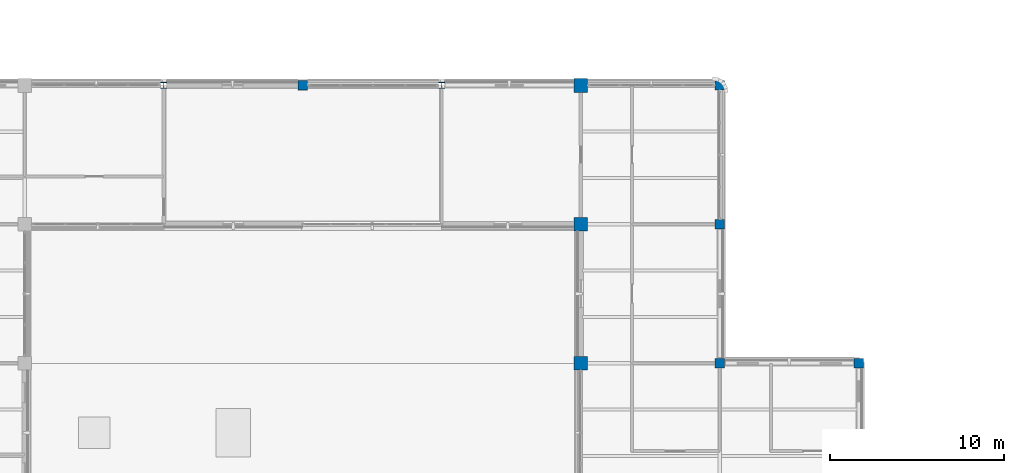
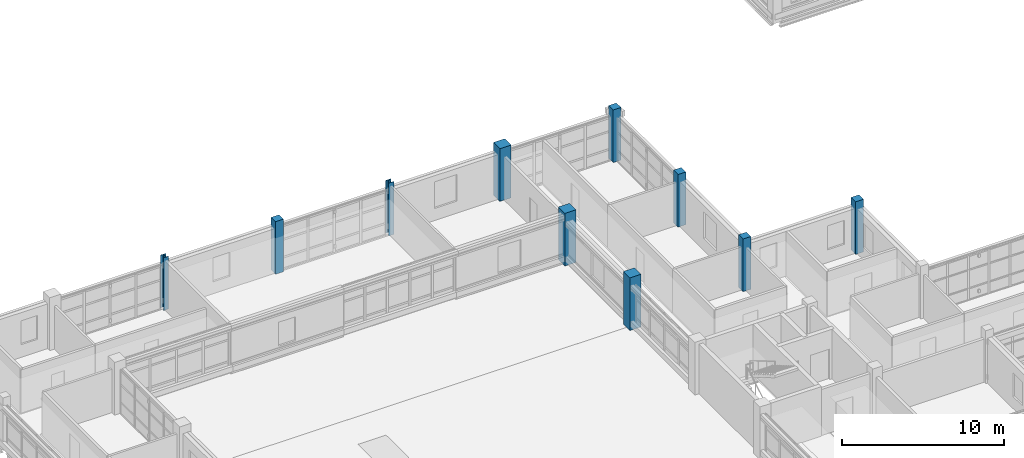
# One storey, part 4 of 107: 10 columns.
"""IFC4 building model written with IfcOpenShell, lengths in metres."""

from ifc_helpers import new_model, si_unit, derived_unit, direction, frame, origin, origin_2d, place, context, subcontext, project, spatial, rectangle, i_section, extrude, material, material_profile, profile_set, type_object, element, save


model = new_model("IFC4")

# Units and contexts
model_context = context("Model", 3, precision=1e-05, world=origin(), true_north=direction((0.0, 1.0)))
body_context = subcontext(model_context, "Body", "Model", "MODEL_VIEW")
ifc_project = project(units=[si_unit("LENGTHUNIT", "METRE"), si_unit("AREAUNIT", "SQUARE_METRE"), si_unit("VOLUMEUNIT", "CUBIC_METRE"), si_unit("PLANEANGLEUNIT", "RADIAN"), si_unit("MASSUNIT", "GRAM", prefix="KILO"), derived_unit("THERMALTRANSMITTANCEUNIT", [(si_unit("MASSUNIT", "GRAM", prefix="KILO"), 1), (si_unit("TIMEUNIT", "SECOND"), -3), (si_unit("THERMODYNAMICTEMPERATUREUNIT", "KELVIN"), -1)])], contexts=[model_context])

# Site, building, storey
site_placement = place(None, origin())
site = spatial("IfcSite", under=ifc_project, at=site_placement, CompositionType="ELEMENT")
building_placement = place(site_placement, origin())
building = spatial("IfcBuilding", under=site, at=building_placement, Name="Veyamyaing Civic Hall", CompositionType="ELEMENT")
storey_placement = place(building_placement, frame((0.0, 0.0, 13.860107421875)))
storey = spatial("IfcBuildingStorey", under=building, at=storey_placement, Name="L03", CompositionType="ELEMENT", Elevation=13.860107421875)

# Columns
ifc_material_1 = material(Name="Concrete C45/55", Category="concrete")
ifc_material_profile_1 = material_profile(ifc_material_1, rectangle(XDim=0.800048828125, YDim=0.800048828125, at=origin_2d()), Name="RC-COL-800X800")
ifc_profile_set_1 = profile_set([ifc_material_profile_1], Name="Concrete C45/55")
column_type_1 = type_object("IfcColumnType", Name="C-02", PredefinedType="COLUMN", material=ifc_profile_set_1)
for number, where, z_axis, x_axis, name in (
    (1, (104.0, 64.0, 0.0), (0.0, 0.0, 1.0), (1.0, 0.0, 0.0), "Column C-02 14-J L03"),
    (2, (104.0, 72.0, 0.0), (0.0, 0.0, 1.0), (1.0, 0.0, 0.0), "Column C-02 14-K L03"),
    (3, (104.0, 80.0, 0.0), (0.0, 0.0, 1.0), (1.0, 0.0, 0.0), "Column C-02 14-L L03"),
):
    element("IfcColumn", number, at=place(storey_placement, frame(where, z_axis=z_axis, x_axis=x_axis)), inside=storey, type_object=column_type_1, Name=name, PredefinedType="COLUMN", context=body_context, shape_type="SweptSolid", body=[
        extrude(rectangle(XDim=0.800048828125, YDim=0.800048828125, at=origin_2d()), origin(), (0.0, 0.0, 1.0), 3.9599609375),
    ])
ifc_material_profile_2 = material_profile(ifc_material_1, rectangle(XDim=0.550048828125, YDim=0.550048828125, at=origin_2d()), Name="RC-COL-550X550")
ifc_profile_set_2 = profile_set([ifc_material_profile_2], Name="Concrete C45/55")
column_type_2 = type_object("IfcColumnType", Name="C-07", PredefinedType="COLUMN", material=ifc_profile_set_2)
for number, where, z_axis, x_axis, name in (
    (4, (88.0, 80.0, 0.0), (0.0, 0.0, 1.0), (1.0, 0.0, 0.0), "Column C-07 12-L L03"),
    (5, (112.0, 64.0, 0.0), (0.0, 0.0, 1.0), (1.0, 0.0, 0.0), "Column C-07 15-J L03"),
    (6, (112.0, 72.0, 0.0), (0.0, 0.0, 1.0), (1.0, 0.0, 0.0), "Column C-07 15-K L03"),
    (7, (112.0, 80.0, 0.0), (0.0, 0.0, 1.0), (1.0, 0.0, 0.0), "Column C-07 15-L L03"),
    (8, (120.0, 64.0, 0.0), (0.0, 0.0, 1.0), (1.0, 0.0, 0.0), "Column C-07 16-J L03"),
):
    element("IfcColumn", number, at=place(storey_placement, frame(where, z_axis=z_axis, x_axis=x_axis)), inside=storey, type_object=column_type_2, Name=name, PredefinedType="COLUMN", context=body_context, shape_type="SweptSolid", body=[
        extrude(rectangle(XDim=0.550048828125, YDim=0.550048828125, at=origin_2d()), origin(), (0.0, 0.0, 1.0), 3.9599609375),
    ])
ifc_material_2 = material(Name="Steel S355J2", Category="steel")
ifc_material_profile_3 = material_profile(ifc_material_2, i_section(OverallWidth=0.368896484375, OverallDepth=0.35595703125, WebThickness=0.01123046875, FlangeThickness=0.01806640625, FilletRadius=0.014892578125, at=origin_2d()), Name="W360X134")
ifc_profile_set_3 = profile_set([ifc_material_profile_3], Name="Steel S355J2")
column_type_3 = type_object("IfcColumnType", Name="C-10", PredefinedType="COLUMN", material=ifc_profile_set_3)
for number, where, z_axis, x_axis, name in (
    (9, (80.0, 80.0, 0.0), (0.0, 0.0, 1.0), (1.0, 0.0, 0.0), "Column C-10 11-L L03"),
    (10, (96.0, 80.0, 0.0), (0.0, 0.0, 1.0), (1.0, 0.0, 0.0), "Column C-10 13-L L03"),
):
    element("IfcColumn", number, at=place(storey_placement, frame(where, z_axis=z_axis, x_axis=x_axis)), inside=storey, type_object=column_type_3, Name=name, PredefinedType="COLUMN", context=body_context, shape_type="SweptSolid", body=[
        extrude(i_section(OverallWidth=0.368896484375, OverallDepth=0.35595703125, WebThickness=0.01123046875, FlangeThickness=0.01806640625, FilletRadius=0.014892578125, at=origin_2d()), origin(), (0.0, 0.0, 1.0), 3.9599609375),
    ])

save(model, "model.ifc")
